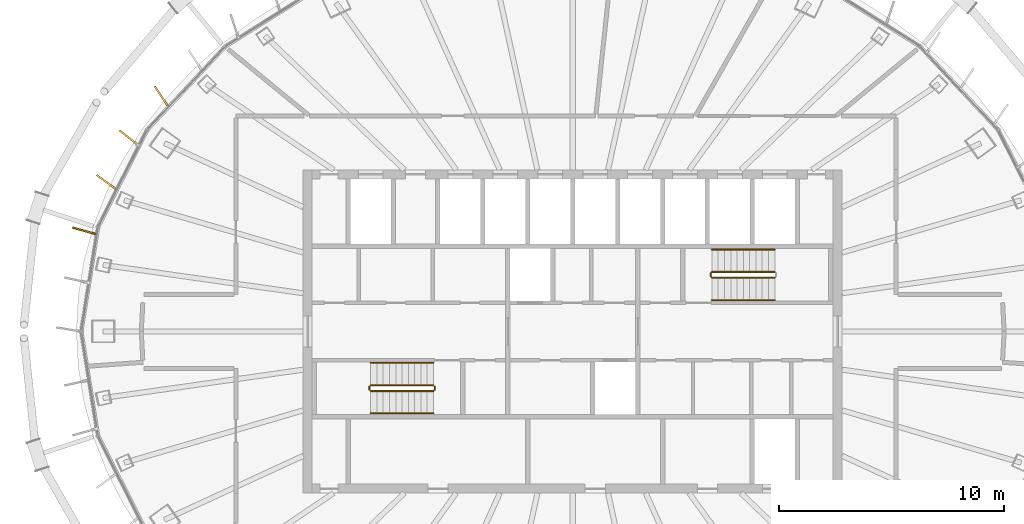
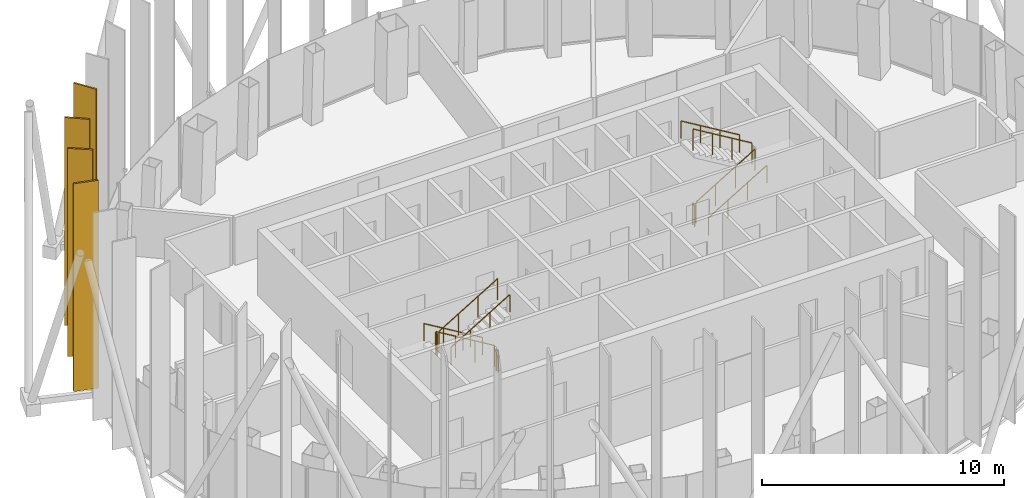
# One storey, part 17 of 19: 11 railings, 4 shading devices.
"""IFC4 building model written with IfcOpenShell, lengths in metres."""

from ifc_helpers import new_model, si_unit, direction, frame, origin, origin_2d, place, context, subcontext, project, spatial, rectangle, circle, extrude, material, layer, layer_set, type_object, element, save


model = new_model("IFC4")

# Units and contexts
model_context = context("Model", 3, precision=1e-05, world=origin(), true_north=direction((0.0, 1.0)))
body_context = subcontext(model_context, "Body", "Model", "MODEL_VIEW")
ifc_project = project(units=[si_unit("LENGTHUNIT", "METRE"), si_unit("AREAUNIT", "SQUARE_METRE"), si_unit("VOLUMEUNIT", "CUBIC_METRE"), si_unit("PLANEANGLEUNIT", "RADIAN"), si_unit("MASSUNIT", "GRAM", prefix="KILO")], contexts=[model_context])

# Site, building, storey
site_placement = place(None, origin())
site = spatial("IfcSite", under=ifc_project, at=site_placement, CompositionType="ELEMENT")
building_placement = place(site_placement, origin())
building = spatial("IfcBuilding", under=site, at=building_placement, Name="Siaravel Broadcast Tower", CompositionType="ELEMENT")
storey_placement = place(building_placement, frame((0.0, 0.0, 217.10009765625)))
storey = spatial("IfcBuildingStorey", under=building, at=storey_placement, Name="L52", CompositionType="ELEMENT", Elevation=217.10009765625)

# Shading devices
ifc_material_1 = material(Name="Bronze anodised aluminium", Category="aluminium")
ifc_layer = layer(ifc_material_1, 0.080078125)
ifc_layer_set = layer_set([ifc_layer], Name="Bronze anodised aluminium")
shading_device_type = type_object("IfcShadingDeviceType", Name="Bronze fin zone 4", PredefinedType="USERDEFINED", material=ifc_layer_set)
for number, where, z_axis, x_axis, name in (
    (1, (-18.3251953125, 10.48828125, 0.2998046875), (0.0, 0.0, 1.0), (-0.557101743, 0.830444247, 0.0), "Bronze fin L52-24"),
    (2, (-19.77490234375, 8.634521484375, 0.2998046875), (0.0, 0.0, 1.0), (-0.784446335, 0.6201967, 0.0), "Bronze fin L52-25"),
    (3, (-20.777099609375, 6.660400390625, 0.2998046875), (0.0, 0.0, 1.0), (-0.807718316, 0.58956859, 0.0), "Bronze fin L52-26"),
    (4, (-21.762451171875, 4.4853515625, 0.2998046875), (0.0, 0.0, 1.0), (-0.962646393, 0.270761743, 0.0), "Bronze fin L52-27"),
):
    element("IfcShadingDevice", number, at=place(storey_placement, frame(where, z_axis=z_axis, x_axis=x_axis)), inside=storey, type_object=shading_device_type, Name=name, ObjectType="FIN", PredefinedType="USERDEFINED", context=body_context, shape_type="SweptSolid", body=[
        extrude(rectangle(XDim=1.050048828125, YDim=0.080078125, at=origin_2d()), origin(), (0.0, 0.0, 1.0), 10.5),
    ])

# Railings
ifc_material_2 = material(Name="Stainless steel 316L", Category="steel")
railing_type_1 = type_object("IfcRailingType", Name="Stair guard 1100", PredefinedType="GUARDRAIL", material=ifc_material_2)
railing_1_placement = place(storey_placement, frame((-6.199951171875, -2.39990234375, 0.16796875)))
element("IfcRailing", 5, at=railing_1_placement, inside=storey, type_object=railing_type_1, Name="L52 ST-1 stair guard 1", PredefinedType="GUARDRAIL", context=body_context, shape_type="SweptSolid", body=[
    extrude(circle(Radius=0.02392578125, at=origin_2d()), frame((0.0, 0.0, 1.076171875), z_axis=(-0.857242211, 0.0, 0.514913383), x_axis=(0.0, -1.0, 0.0)), (0.0, 0.0, 1.0), 3.266357421875),
    extrude(circle(Radius=0.02099609375, at=origin_2d()), origin(), (0.0, 0.0, 1.0), 1.052001953125),
    extrude(circle(Radius=0.02099609375, at=origin_2d()), frame((-0.933349609375, 0.0, 0.560546875)), (0.0, 0.0, 1.0), 1.052001953125),
    extrude(circle(Radius=0.02099609375, at=origin_2d()), frame((-1.86669921875, 0.0, 1.121337890625)), (0.0, 0.0, 1.0), 1.052001953125),
    extrude(circle(Radius=0.02099609375, at=origin_2d()), frame((-2.800048828125, 0.0, 1.681884765625)), (0.0, 0.0, 1.0), 1.052001953125),
])
railing_2_placement = place(storey_placement, frame((-9.050048828125, -2.449951171875, 1.849853515625)))
element("IfcRailing", 6, at=railing_2_placement, inside=storey, type_object=railing_type_1, Name="L52 ST-1 stair guard 2", PredefinedType="GUARDRAIL", context=body_context, shape_type="SweptSolid", body=[
    extrude(circle(Radius=0.02392578125, at=origin_2d()), frame((0.0, 0.0, 1.076171875), z_axis=(0.0, -1.0, 0.0), x_axis=(1.0, 0.0, 0.0)), (0.0, 0.0, 1.0), 0.150146484375),
    extrude(circle(Radius=0.02099609375, at=origin_2d()), origin(), (0.0, 0.0, 1.0), 1.052001953125),
    extrude(circle(Radius=0.02099609375, at=origin_2d()), frame((0.0, -0.150146484375, 0.0)), (0.0, 0.0, 1.0), 1.052001953125),
])
railing_3_placement = place(storey_placement, frame((-9.0, -2.64990234375, 2.01806640625)))
element("IfcRailing", 7, at=railing_3_placement, inside=storey, type_object=railing_type_1, Name="L52 ST-1 stair guard 3", PredefinedType="GUARDRAIL", context=body_context, shape_type="SweptSolid", body=[
    extrude(circle(Radius=0.02392578125, at=origin_2d()), frame((0.0, 0.0, 1.076171875), z_axis=(0.857242211, 0.0, 0.514913383), x_axis=(0.0, 1.0, 0.0)), (0.0, 0.0, 1.0), 3.266357421875),
    extrude(circle(Radius=0.02099609375, at=origin_2d()), origin(), (0.0, 0.0, 1.0), 1.052001953125),
    extrude(circle(Radius=0.02099609375, at=origin_2d()), frame((0.933349609375, 0.0, 0.560546875)), (0.0, 0.0, 1.0), 1.052001953125),
    extrude(circle(Radius=0.02099609375, at=origin_2d()), frame((1.86669921875, 0.0, 1.121337890625)), (0.0, 0.0, 1.0), 1.052001953125),
    extrude(circle(Radius=0.02099609375, at=origin_2d()), frame((2.800048828125, 0.0, 1.681884765625)), (0.0, 0.0, 1.0), 1.052001953125),
])
railing_4_placement = place(storey_placement, frame((-6.14990234375, -2.449951171875, 0.0)))
element("IfcRailing", 8, at=railing_4_placement, inside=storey, type_object=railing_type_1, Name="L52 ST-1 stair guard 4", PredefinedType="GUARDRAIL", context=body_context, shape_type="SweptSolid", body=[
    extrude(circle(Radius=0.02392578125, at=origin_2d()), frame((0.0, 0.0, 1.076171875), z_axis=(0.0, -1.0, 0.0), x_axis=(1.0, 0.0, 0.0)), (0.0, 0.0, 1.0), 0.150146484375),
    extrude(circle(Radius=0.02099609375, at=origin_2d()), origin(), (0.0, 0.0, 1.0), 1.052001953125),
    extrude(circle(Radius=0.02099609375, at=origin_2d()), frame((0.0, -0.150146484375, 0.0)), (0.0, 0.0, 1.0), 1.052001953125),
])
railing_5_placement = place(storey_placement, frame((6.199951171875, 2.39990234375, 0.16796875)))
element("IfcRailing", 9, at=railing_5_placement, inside=storey, type_object=railing_type_1, Name="L52 ST-2 stair guard 1", PredefinedType="GUARDRAIL", context=body_context, shape_type="SweptSolid", body=[
    extrude(circle(Radius=0.02392578125, at=origin_2d()), frame((0.0, 0.0, 1.076171875), z_axis=(0.857242211, 0.0, 0.514913383), x_axis=(0.0, 1.0, 0.0)), (0.0, 0.0, 1.0), 3.266357421875),
    extrude(circle(Radius=0.02099609375, at=origin_2d()), origin(), (0.0, 0.0, 1.0), 1.052001953125),
    extrude(circle(Radius=0.02099609375, at=origin_2d()), frame((0.933349609375, 0.0, 0.560546875)), (0.0, 0.0, 1.0), 1.052001953125),
    extrude(circle(Radius=0.02099609375, at=origin_2d()), frame((1.86669921875, 0.0, 1.121337890625)), (0.0, 0.0, 1.0), 1.052001953125),
    extrude(circle(Radius=0.02099609375, at=origin_2d()), frame((2.800048828125, 0.0, 1.681884765625)), (0.0, 0.0, 1.0), 1.052001953125),
])
railing_6_placement = place(storey_placement, frame((9.0, 2.64990234375, 2.01806640625)))
element("IfcRailing", 10, at=railing_6_placement, inside=storey, type_object=railing_type_1, Name="L52 ST-2 stair guard 3", PredefinedType="GUARDRAIL", context=body_context, shape_type="SweptSolid", body=[
    extrude(circle(Radius=0.02392578125, at=origin_2d()), frame((0.0, 0.0, 1.076171875), z_axis=(-0.857242211, 0.0, 0.514913383), x_axis=(0.0, -1.0, 0.0)), (0.0, 0.0, 1.0), 3.266357421875),
    extrude(circle(Radius=0.02099609375, at=origin_2d()), origin(), (0.0, 0.0, 1.0), 1.052001953125),
    extrude(circle(Radius=0.02099609375, at=origin_2d()), frame((-0.933349609375, 0.0, 0.560546875)), (0.0, 0.0, 1.0), 1.052001953125),
    extrude(circle(Radius=0.02099609375, at=origin_2d()), frame((-1.86669921875, 0.0, 1.121337890625)), (0.0, 0.0, 1.0), 1.052001953125),
    extrude(circle(Radius=0.02099609375, at=origin_2d()), frame((-2.800048828125, 0.0, 1.681884765625)), (0.0, 0.0, 1.0), 1.052001953125),
])
railing_7_placement = place(storey_placement, frame((6.14990234375, 2.449951171875, 0.0)))
element("IfcRailing", 11, at=railing_7_placement, inside=storey, type_object=railing_type_1, Name="L52 ST-2 stair guard 4", PredefinedType="GUARDRAIL", context=body_context, shape_type="SweptSolid", body=[
    extrude(circle(Radius=0.02392578125, at=origin_2d()), frame((0.0, 0.0, 1.076171875), z_axis=(0.0, 1.0, 0.0), x_axis=(-1.0, 0.0, 0.0)), (0.0, 0.0, 1.0), 0.150146484375),
    extrude(circle(Radius=0.02099609375, at=origin_2d()), origin(), (0.0, 0.0, 1.0), 1.052001953125),
    extrude(circle(Radius=0.02099609375, at=origin_2d()), frame((0.0, 0.150146484375, 0.0)), (0.0, 0.0, 1.0), 1.052001953125),
])
railing_type_2 = type_object("IfcRailingType", Name="Stair handrail 900", PredefinedType="HANDRAIL", material=ifc_material_2)
railing_8_placement = place(storey_placement, frame((-6.199951171875, -1.39990234375, 0.16796875)))
element("IfcRailing", 12, at=railing_8_placement, inside=storey, type_object=railing_type_2, Name="L52 ST-1 stair handrail 1", PredefinedType="HANDRAIL", context=body_context, shape_type="SweptSolid", body=[
    extrude(circle(Radius=0.02392578125, at=origin_2d()), frame((0.0, 0.0, 0.8759765625), z_axis=(-0.857242211, 0.0, 0.514913383), x_axis=(0.0, -1.0, 0.0)), (0.0, 0.0, 1.0), 3.266357421875),
    extrude(circle(Radius=0.02099609375, at=origin_2d()), origin(), (0.0, 0.0, 1.0), 0.851806640625),
    extrude(circle(Radius=0.02099609375, at=origin_2d()), frame((-0.933349609375, 0.0, 0.560546875)), (0.0, 0.0, 1.0), 0.851806640625),
    extrude(circle(Radius=0.02099609375, at=origin_2d()), frame((-1.86669921875, 0.0, 1.121337890625)), (0.0, 0.0, 1.0), 0.851806640625),
    extrude(circle(Radius=0.02099609375, at=origin_2d()), frame((-2.800048828125, 0.0, 1.681884765625)), (0.0, 0.0, 1.0), 0.851806640625),
])
for number, where, name in (
    (13, (-9.0, -3.64990234375, 2.01806640625), "L52 ST-1 stair handrail 2"),
    (14, (6.199951171875, 1.39990234375, 0.16796875), "L52 ST-2 stair handrail 1"),
):
    element("IfcRailing", number, at=place(storey_placement, frame(where)), inside=storey, type_object=railing_type_2, Name=name, PredefinedType="HANDRAIL", context=body_context, shape_type="SweptSolid", body=[
        extrude(circle(Radius=0.02392578125, at=origin_2d()), frame((0.0, 0.0, 0.8759765625), z_axis=(0.857242211, 0.0, 0.514913383), x_axis=(0.0, 1.0, 0.0)), (0.0, 0.0, 1.0), 3.266357421875),
        extrude(circle(Radius=0.02099609375, at=origin_2d()), origin(), (0.0, 0.0, 1.0), 0.851806640625),
        extrude(circle(Radius=0.02099609375, at=origin_2d()), frame((0.933349609375, 0.0, 0.560546875)), (0.0, 0.0, 1.0), 0.851806640625),
        extrude(circle(Radius=0.02099609375, at=origin_2d()), frame((1.86669921875, 0.0, 1.121337890625)), (0.0, 0.0, 1.0), 0.851806640625),
        extrude(circle(Radius=0.02099609375, at=origin_2d()), frame((2.800048828125, 0.0, 1.681884765625)), (0.0, 0.0, 1.0), 0.851806640625),
    ])
railing_9_placement = place(storey_placement, frame((9.0, 3.64990234375, 2.01806640625)))
element("IfcRailing", 15, at=railing_9_placement, inside=storey, type_object=railing_type_2, Name="L52 ST-2 stair handrail 2", PredefinedType="HANDRAIL", context=body_context, shape_type="SweptSolid", body=[
    extrude(circle(Radius=0.02392578125, at=origin_2d()), frame((0.0, 0.0, 0.8759765625), z_axis=(-0.857242211, 0.0, 0.514913383), x_axis=(0.0, -1.0, 0.0)), (0.0, 0.0, 1.0), 3.266357421875),
    extrude(circle(Radius=0.02099609375, at=origin_2d()), origin(), (0.0, 0.0, 1.0), 0.851806640625),
    extrude(circle(Radius=0.02099609375, at=origin_2d()), frame((-0.933349609375, 0.0, 0.560546875)), (0.0, 0.0, 1.0), 0.851806640625),
    extrude(circle(Radius=0.02099609375, at=origin_2d()), frame((-1.86669921875, 0.0, 1.121337890625)), (0.0, 0.0, 1.0), 0.851806640625),
    extrude(circle(Radius=0.02099609375, at=origin_2d()), frame((-2.800048828125, 0.0, 1.681884765625)), (0.0, 0.0, 1.0), 0.851806640625),
])

save(model, "model.ifc")
